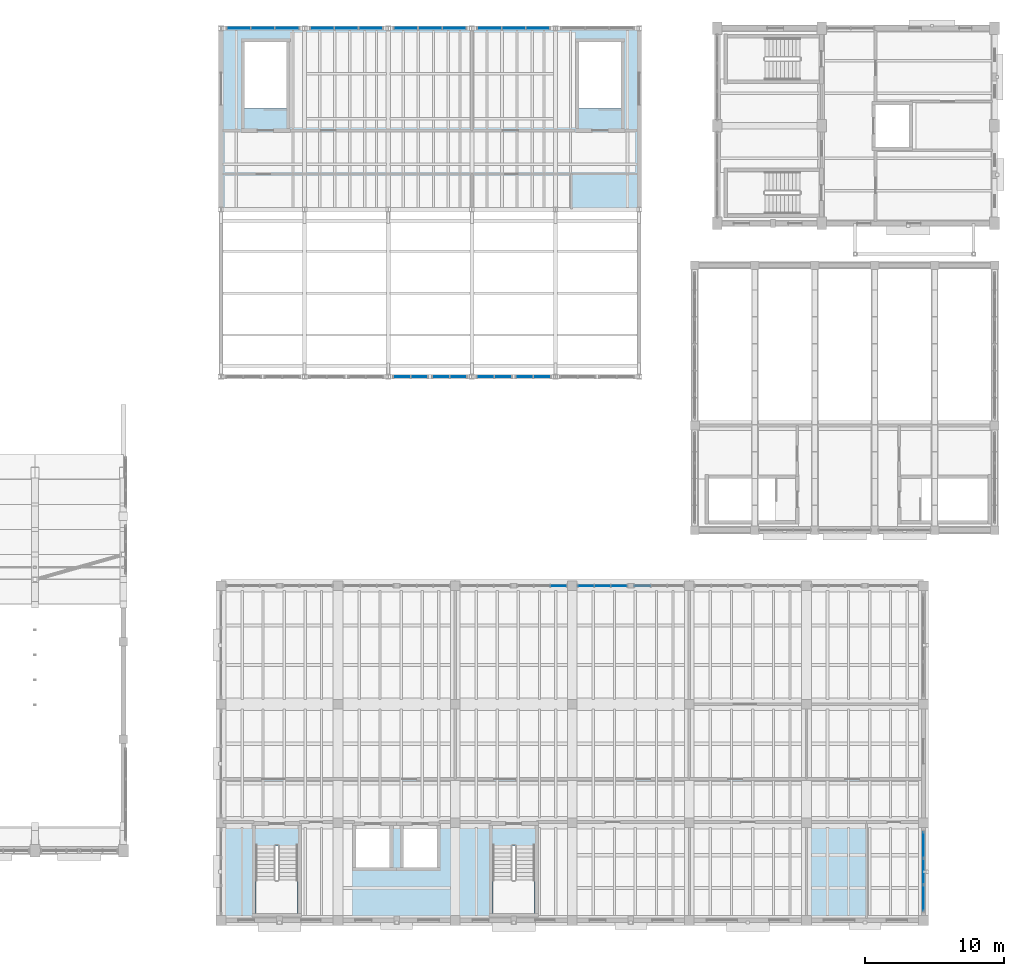
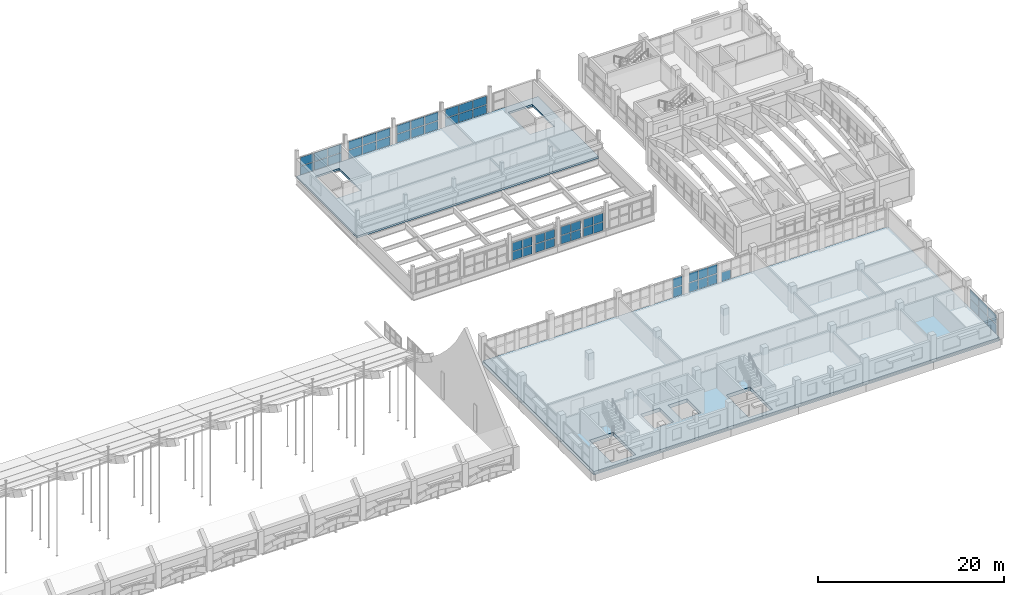
# One storey, part 53 of 77: 55 plates, 2 slabs, 12 elements without a shape of their own.
"""IFC4 building model written with IfcOpenShell, lengths in metres."""

from ifc_helpers import new_model, si_unit, direction, frame, origin, origin_2d, place, context, subcontext, project, spatial, polyline, rectangle, outline, extrude, material, layer, layer_set, type_object, element, aggregate, save


model = new_model("IFC4")

# Units and contexts
model_context = context("Model", 3, precision=1e-05, world=origin(), true_north=direction((0.0, 1.0)))
body_context = subcontext(model_context, "Body", "Model", "MODEL_VIEW")
ifc_project = project(units=[si_unit("LENGTHUNIT", "METRE"), si_unit("AREAUNIT", "SQUARE_METRE"), si_unit("VOLUMEUNIT", "CUBIC_METRE"), si_unit("PLANEANGLEUNIT", "RADIAN"), si_unit("MASSUNIT", "GRAM", prefix="KILO")], contexts=[model_context])

# Site, building, storey
site_placement = place(None, origin())
site = spatial("IfcSite", under=ifc_project, at=site_placement, CompositionType="ELEMENT")
building_placement = place(site_placement, origin())
building = spatial("IfcBuilding", under=site, at=building_placement, Name="Trellovar Central Fire Station", CompositionType="ELEMENT")
storey_placement = place(building_placement, frame((0.0, 0.0, 5.85009765625)))
storey = spatial("IfcBuildingStorey", under=building, at=storey_placement, Name="L02", CompositionType="ELEMENT", Elevation=5.85009765625)

# Curtain wall, plate
ifc_material_1 = material(Name="Thermally broken bronze anodized aluminum", Category="aluminium")
ifc_layer_1 = layer(ifc_material_1, 0.159912109375)
ifc_layer_set_1 = layer_set([ifc_layer_1], Name="Thermally broken bronze anodized aluminum")
curtain_wall_type_1 = type_object("IfcCurtainWallType", Name="CW-09", PredefinedType="NOTDEFINED", material=ifc_layer_set_1)
curtain_wall_1_placement = place(storey_placement, origin())
curtain_wall_1 = element("IfcCurtainWall", 1, at=curtain_wall_1_placement, inside=storey, type_object=curtain_wall_type_1, Name="L02 curtain wall CW-9", PredefinedType="NOTDEFINED")
ifc_material_2 = material(Name="Double low-E solar control insulated glazing", Category="glass")
ifc_layer_2 = layer(ifc_material_2, 0.031982421875)
ifc_layer_set_2 = layer_set([ifc_layer_2], Name="Double low-E solar control insulated glazing")
plate_type_1 = type_object("IfcPlateType", Name="CWP-GL1", PredefinedType="CURTAIN_PANEL", material=ifc_layer_set_2)
plate_1_placement = place(storey_placement, frame((129.708251953125, 33.0, 1.31494140625), z_axis=(0.0, 0.0, 1.0), x_axis=(-1.0, 0.0, 0.0)))
plate_1 = element("IfcPlate", 2, at=plate_1_placement, type_object=plate_type_1, Name="CW3-L02-0063 panel 1-2", PredefinedType="CURTAIN_PANEL", context=body_context, shape_type="SweptSolid", body=[
    extrude(rectangle(XDim=1.103271484375, YDim=0.031982421875, at=origin_2d()), origin(), (0.0, 0.0, 1.0), 1.195068359375),
])

ifc_material_3 = material(Name="Thermally broken bronze anodized aluminum", Category="aluminium")
ifc_layer_3 = layer(ifc_material_3, 0.159912109375)
ifc_layer_set_3 = layer_set([ifc_layer_3], Name="Thermally broken bronze anodized aluminum")
curtain_wall_type_2 = type_object("IfcCurtainWallType", Name="CW-10", PredefinedType="NOTDEFINED", material=ifc_layer_set_3)
curtain_wall_2_placement = place(storey_placement, origin())
curtain_wall_2 = element("IfcCurtainWall", 3, at=curtain_wall_2_placement, inside=storey, type_object=curtain_wall_type_2, Name="L02 curtain wall CW-10", PredefinedType="NOTDEFINED")
plate_2_placement = place(storey_placement, frame((132.875, 33.0, 1.31494140625), z_axis=(0.0, 0.0, 1.0), x_axis=(-1.0, 0.0, 0.0)))
plate_2 = element("IfcPlate", 4, at=plate_2_placement, type_object=plate_type_1, Name="CW3-L02-0066 panel 2-2", PredefinedType="CURTAIN_PANEL", context=body_context, shape_type="SweptSolid", body=[
    extrude(rectangle(XDim=1.103515625, YDim=0.031982421875, at=origin_2d()), origin(), (0.0, 0.0, 1.0), 1.195068359375),
])

ifc_material_4 = material(Name="Thermally broken bronze anodized aluminum", Category="aluminium")
ifc_layer_4 = layer(ifc_material_4, 0.159912109375)
ifc_layer_set_4 = layer_set([ifc_layer_4], Name="Thermally broken bronze anodized aluminum")
curtain_wall_type_3 = type_object("IfcCurtainWallType", Name="CW-01", PredefinedType="NOTDEFINED", material=ifc_layer_set_4)
curtain_wall_3_placement = place(storey_placement, origin())
curtain_wall_3 = element("IfcCurtainWall", 5, at=curtain_wall_3_placement, inside=storey, type_object=curtain_wall_type_3, Name="L02 curtain wall CW-1", PredefinedType="NOTDEFINED")
plate_3_placement = place(storey_placement, frame((155.89990234375, 12.5, 1.31494140625), z_axis=(0.0, 0.0, 1.0), x_axis=(0.0, 1.0, 0.0)))
plate_3 = element("IfcPlate", 6, at=plate_3_placement, type_object=plate_type_1, Name="CW3-L02-0074 panel 2-2", PredefinedType="CURTAIN_PANEL", context=body_context, shape_type="SweptSolid", body=[
    extrude(rectangle(XDim=1.820068359375, YDim=0.031982421875, at=origin_2d()), origin(), (0.0, 0.0, 1.0), 1.195068359375),
])

ifc_material_5 = material(Name="Thermally broken bronze anodized aluminum", Category="aluminium")
ifc_layer_5 = layer(ifc_material_5, 0.159912109375)
ifc_layer_set_5 = layer_set([ifc_layer_5], Name="Thermally broken bronze anodized aluminum")
curtain_wall_type_4 = type_object("IfcCurtainWallType", Name="CW-13", PredefinedType="NOTDEFINED", material=ifc_layer_set_5)
curtain_wall_4_placement = place(storey_placement, origin())
curtain_wall_4 = element("IfcCurtainWall", 7, at=curtain_wall_4_placement, inside=storey, type_object=curtain_wall_type_4, Name="V6 L02 north clerestory 1", PredefinedType="NOTDEFINED")
plate_4_placement = place(storey_placement, frame((108.5, 73.0, 1.2138671875), z_axis=(0.0, 0.0, 1.0), x_axis=(-1.0, 0.0, 0.0)))
plate_4 = element("IfcPlate", 8, at=plate_4_placement, type_object=plate_type_1, Name="CW3-L02-0106 panel 2-2", PredefinedType="CURTAIN_PANEL", context=body_context, shape_type="SweptSolid", body=[
    extrude(rectangle(XDim=1.6533203125, YDim=0.031982421875, at=origin_2d()), origin(), (0.0, 0.0, 1.0), 1.093994140625),
])

curtain_wall_5_placement = place(storey_placement, origin())
curtain_wall_5 = element("IfcCurtainWall", 9, at=curtain_wall_5_placement, inside=storey, type_object=curtain_wall_type_4, Name="V6 L02 north clerestory 2", PredefinedType="NOTDEFINED")
plate_5_placement = place(storey_placement, frame((114.5, 73.0, 1.2138671875), z_axis=(0.0, 0.0, 1.0), x_axis=(-1.0, 0.0, 0.0)))
plate_5 = element("IfcPlate", 10, at=plate_5_placement, type_object=plate_type_1, Name="CW3-L02-0114 panel 2-2", PredefinedType="CURTAIN_PANEL", context=body_context, shape_type="SweptSolid", body=[
    extrude(rectangle(XDim=1.6533203125, YDim=0.031982421875, at=origin_2d()), origin(), (0.0, 0.0, 1.0), 1.093994140625),
])

curtain_wall_6_placement = place(storey_placement, origin())
curtain_wall_6 = element("IfcCurtainWall", 11, at=curtain_wall_6_placement, inside=storey, type_object=curtain_wall_type_4, Name="V6 L02 north clerestory 3", PredefinedType="NOTDEFINED")
plate_6_placement = place(storey_placement, frame((120.5, 73.0, 1.2138671875), z_axis=(0.0, 0.0, 1.0), x_axis=(-1.0, 0.0, 0.0)))
plate_6 = element("IfcPlate", 12, at=plate_6_placement, type_object=plate_type_1, Name="CW3-L02-0122 panel 2-2", PredefinedType="CURTAIN_PANEL", context=body_context, shape_type="SweptSolid", body=[
    extrude(rectangle(XDim=1.6533203125, YDim=0.031982421875, at=origin_2d()), origin(), (0.0, 0.0, 1.0), 1.093994140625),
])

curtain_wall_7_placement = place(storey_placement, origin())
curtain_wall_7 = element("IfcCurtainWall", 13, at=curtain_wall_7_placement, inside=storey, type_object=curtain_wall_type_4, Name="V6 L02 north clerestory 4", PredefinedType="NOTDEFINED")
plate_7_placement = place(storey_placement, frame((126.5, 73.0, 1.2138671875), z_axis=(0.0, 0.0, 1.0), x_axis=(-1.0, 0.0, 0.0)))
plate_7 = element("IfcPlate", 14, at=plate_7_placement, type_object=plate_type_1, Name="CW3-L02-0130 panel 2-2", PredefinedType="CURTAIN_PANEL", context=body_context, shape_type="SweptSolid", body=[
    extrude(rectangle(XDim=1.6533203125, YDim=0.031982421875, at=origin_2d()), origin(), (0.0, 0.0, 1.0), 1.093994140625),
])

# Plate
ifc_material_6 = material(Name="Double low-E solar control insulated glazing", Category="glass")
ifc_layer_6 = layer(ifc_material_6, 0.035888671875)
ifc_layer_set_6 = layer_set([ifc_layer_6], Name="Double low-E solar control insulated glazing")
plate_type_2 = type_object("IfcPlateType", Name="CWP-GL2", PredefinedType="CURTAIN_PANEL", material=ifc_layer_set_6)
plate_8_placement = place(storey_placement, frame((131.691650390625, 33.0, 1.31494140625), z_axis=(0.0, 0.0, 1.0), x_axis=(-1.0, 0.0, 0.0)))
plate_8 = element("IfcPlate", 15, at=plate_8_placement, type_object=plate_type_2, Name="CW3-L02-0066 panel 3-2", PredefinedType="CURTAIN_PANEL", context=body_context, shape_type="SweptSolid", body=[
    extrude(rectangle(XDim=1.103271484375, YDim=0.035888671875, at=origin_2d()), origin(), (0.0, 0.0, 1.0), 1.195068359375),
])

plate_9_placement = place(storey_placement, frame((155.89990234375, 14.39990234375, 1.31494140625), z_axis=(0.0, 0.0, 1.0), x_axis=(0.0, 1.0, 0.0)))
plate_9 = element("IfcPlate", 16, at=plate_9_placement, type_object=plate_type_2, Name="CW3-L02-0074 panel 3-2", PredefinedType="CURTAIN_PANEL", context=body_context, shape_type="SweptSolid", body=[
    extrude(rectangle(XDim=1.820068359375, YDim=0.035888671875, at=origin_2d()), origin(), (0.0, 0.0, 1.0), 1.195068359375),
])

plate_10_placement = place(storey_placement, frame((106.7666015625, 73.0, 1.2138671875), z_axis=(0.0, 0.0, 1.0), x_axis=(-1.0, 0.0, 0.0)))
plate_10 = element("IfcPlate", 17, at=plate_10_placement, type_object=plate_type_2, Name="CW3-L02-0106 panel 3-2", PredefinedType="CURTAIN_PANEL", context=body_context, shape_type="SweptSolid", body=[
    extrude(rectangle(XDim=1.6533203125, YDim=0.035888671875, at=origin_2d()), origin(), (0.0, 0.0, 1.0), 1.093994140625),
])

plate_11_placement = place(storey_placement, frame((112.7666015625, 73.0, 1.2138671875), z_axis=(0.0, 0.0, 1.0), x_axis=(-1.0, 0.0, 0.0)))
plate_11 = element("IfcPlate", 18, at=plate_11_placement, type_object=plate_type_2, Name="CW3-L02-0114 panel 3-2", PredefinedType="CURTAIN_PANEL", context=body_context, shape_type="SweptSolid", body=[
    extrude(rectangle(XDim=1.6533203125, YDim=0.035888671875, at=origin_2d()), origin(), (0.0, 0.0, 1.0), 1.093994140625),
])

# Curtain wall, plate
ifc_material_7 = material(Name="Thermally broken bronze anodized aluminum", Category="aluminium")
ifc_layer_7 = layer(ifc_material_7, 0.159912109375)
ifc_layer_set_7 = layer_set([ifc_layer_7], Name="Thermally broken bronze anodized aluminum")
curtain_wall_type_5 = type_object("IfcCurtainWallType", Name="CW-08", PredefinedType="NOTDEFINED", material=ifc_layer_set_7)
curtain_wall_8_placement = place(storey_placement, origin())
curtain_wall_8 = element("IfcCurtainWall", 19, at=curtain_wall_8_placement, inside=storey, type_object=curtain_wall_type_5, Name="V6 workshop upper clerestory 3A", PredefinedType="NOTDEFINED")
plate_12_placement = place(storey_placement, frame((118.47509765625, 48.0, 0.96484375), z_axis=(0.0, 0.0, 1.0), x_axis=(1.0, 0.0, 0.0)))
plate_12 = element("IfcPlate", 20, at=plate_12_placement, type_object=plate_type_2, Name="CW3-L02-0120 panel 1-2", PredefinedType="CURTAIN_PANEL", context=body_context, shape_type="SweptSolid", body=[
    extrude(rectangle(XDim=1.169921875, YDim=0.035888671875, at=origin_2d()), origin(), (0.0, 0.0, 1.0), 1.094970703125),
])

# Plate
plate_13_placement = place(storey_placement, frame((118.7666015625, 73.0, 1.2138671875), z_axis=(0.0, 0.0, 1.0), x_axis=(-1.0, 0.0, 0.0)))
plate_13 = element("IfcPlate", 21, at=plate_13_placement, type_object=plate_type_2, Name="CW3-L02-0122 panel 3-2", PredefinedType="CURTAIN_PANEL", context=body_context, shape_type="SweptSolid", body=[
    extrude(rectangle(XDim=1.6533203125, YDim=0.035888671875, at=origin_2d()), origin(), (0.0, 0.0, 1.0), 1.093994140625),
])

# Curtain wall, plate
curtain_wall_9_placement = place(storey_placement, origin())
curtain_wall_9 = element("IfcCurtainWall", 22, at=curtain_wall_9_placement, inside=storey, type_object=curtain_wall_type_5, Name="V6 workshop upper clerestory 4A", PredefinedType="NOTDEFINED")
plate_14_placement = place(storey_placement, frame((124.47509765625, 48.0, 0.96484375), z_axis=(0.0, 0.0, 1.0), x_axis=(1.0, 0.0, 0.0)))
plate_14 = element("IfcPlate", 23, at=plate_14_placement, type_object=plate_type_2, Name="CW3-L02-0128 panel 1-2", PredefinedType="CURTAIN_PANEL", context=body_context, shape_type="SweptSolid", body=[
    extrude(rectangle(XDim=1.169921875, YDim=0.035888671875, at=origin_2d()), origin(), (0.0, 0.0, 1.0), 1.094970703125),
])

# Plate
plate_15_placement = place(storey_placement, frame((124.7666015625, 73.0, 1.2138671875), z_axis=(0.0, 0.0, 1.0), x_axis=(-1.0, 0.0, 0.0)))
plate_15 = element("IfcPlate", 24, at=plate_15_placement, type_object=plate_type_2, Name="CW3-L02-0130 panel 3-2", PredefinedType="CURTAIN_PANEL", context=body_context, shape_type="SweptSolid", body=[
    extrude(rectangle(XDim=1.6533203125, YDim=0.035888671875, at=origin_2d()), origin(), (0.0, 0.0, 1.0), 1.093994140625),
])

ifc_material_8 = material(Name="Double low-E solar control insulated glazing", Category="glass")
ifc_layer_8 = layer(ifc_material_8, 0.033935546875)
ifc_layer_set_8 = layer_set([ifc_layer_8], Name="Double low-E solar control insulated glazing")
plate_type_3 = type_object("IfcPlateType", Name="CWP-GL3", PredefinedType="CURTAIN_PANEL", material=ifc_layer_set_8)
plate_16_placement = place(storey_placement, frame((119.72509765625, 48.0, 0.96484375), z_axis=(0.0, 0.0, 1.0), x_axis=(1.0, 0.0, 0.0)))
plate_16 = element("IfcPlate", 25, at=plate_16_placement, type_object=plate_type_3, Name="CW3-L02-0120 panel 2-2", PredefinedType="CURTAIN_PANEL", context=body_context, shape_type="SweptSolid", body=[
    extrude(rectangle(XDim=1.169921875, YDim=0.033935546875, at=origin_2d()), origin(), (0.0, 0.0, 1.0), 1.094970703125),
])

# Curtain wall, plate
curtain_wall_10_placement = place(storey_placement, origin())
curtain_wall_10 = element("IfcCurtainWall", 26, at=curtain_wall_10_placement, inside=storey, type_object=curtain_wall_type_5, Name="V6 workshop upper clerestory 3B", PredefinedType="NOTDEFINED")
plate_17_placement = place(storey_placement, frame((121.27490234375, 48.0, 0.96484375), z_axis=(0.0, 0.0, 1.0), x_axis=(1.0, 0.0, 0.0)))
plate_17 = element("IfcPlate", 27, at=plate_17_placement, type_object=plate_type_3, Name="CW3-L02-0121 panel 1-2", PredefinedType="CURTAIN_PANEL", context=body_context, shape_type="SweptSolid", body=[
    extrude(rectangle(XDim=1.169921875, YDim=0.033935546875, at=origin_2d()), origin(), (0.0, 0.0, 1.0), 1.094970703125),
])

# Plate
plate_18_placement = place(storey_placement, frame((125.72509765625, 48.0, 0.96484375), z_axis=(0.0, 0.0, 1.0), x_axis=(1.0, 0.0, 0.0)))
plate_18 = element("IfcPlate", 28, at=plate_18_placement, type_object=plate_type_3, Name="CW3-L02-0128 panel 2-2", PredefinedType="CURTAIN_PANEL", context=body_context, shape_type="SweptSolid", body=[
    extrude(rectangle(XDim=1.169921875, YDim=0.033935546875, at=origin_2d()), origin(), (0.0, 0.0, 1.0), 1.094970703125),
])

# Curtain wall, plate
curtain_wall_11_placement = place(storey_placement, origin())
curtain_wall_11 = element("IfcCurtainWall", 29, at=curtain_wall_11_placement, inside=storey, type_object=curtain_wall_type_5, Name="V6 workshop upper clerestory 4B", PredefinedType="NOTDEFINED")
plate_19_placement = place(storey_placement, frame((127.27490234375, 48.0, 0.96484375), z_axis=(0.0, 0.0, 1.0), x_axis=(1.0, 0.0, 0.0)))
plate_19 = element("IfcPlate", 30, at=plate_19_placement, type_object=plate_type_3, Name="CW3-L02-0129 panel 1-2", PredefinedType="CURTAIN_PANEL", context=body_context, shape_type="SweptSolid", body=[
    extrude(rectangle(XDim=1.169921875, YDim=0.033935546875, at=origin_2d()), origin(), (0.0, 0.0, 1.0), 1.094970703125),
])

# Plate
ifc_material_9 = material(Name="Double low-E solar control insulated glazing", Category="glass")
ifc_layer_9 = layer(ifc_material_9, 0.030029296875)
ifc_layer_set_9 = layer_set([ifc_layer_9], Name="Double low-E solar control insulated glazing")
plate_type_4 = type_object("IfcPlateType", Name="CWP-GL4", PredefinedType="CURTAIN_PANEL", material=ifc_layer_set_9)
plate_20_placement = place(storey_placement, frame((134.058349609375, 33.0, 1.31494140625), z_axis=(0.0, 0.0, 1.0), x_axis=(-1.0, 0.0, 0.0)))
plate_20 = element("IfcPlate", 31, at=plate_20_placement, type_object=plate_type_4, Name="CW3-L02-0066 panel 1-2", PredefinedType="CURTAIN_PANEL", context=body_context, shape_type="SweptSolid", body=[
    extrude(rectangle(XDim=1.103271484375, YDim=0.030029296875, at=origin_2d()), origin(), (0.0, 0.0, 1.0), 1.195068359375),
])

plate_21_placement = place(storey_placement, frame((155.89990234375, 10.60009765625, 1.31494140625), z_axis=(0.0, 0.0, 1.0), x_axis=(0.0, 1.0, 0.0)))
plate_21 = element("IfcPlate", 32, at=plate_21_placement, type_object=plate_type_4, Name="CW3-L02-0074 panel 1-2", PredefinedType="CURTAIN_PANEL", context=body_context, shape_type="SweptSolid", body=[
    extrude(rectangle(XDim=1.820068359375, YDim=0.030029296875, at=origin_2d()), origin(), (0.0, 0.0, 1.0), 1.195068359375),
])

plate_22_placement = place(storey_placement, frame((110.2333984375, 73.0, 1.2138671875), z_axis=(0.0, 0.0, 1.0), x_axis=(-1.0, 0.0, 0.0)))
plate_22 = element("IfcPlate", 33, at=plate_22_placement, type_object=plate_type_4, Name="CW3-L02-0106 panel 1-2", PredefinedType="CURTAIN_PANEL", context=body_context, shape_type="SweptSolid", body=[
    extrude(rectangle(XDim=1.6533203125, YDim=0.030029296875, at=origin_2d()), origin(), (0.0, 0.0, 1.0), 1.093994140625),
])

plate_23_placement = place(storey_placement, frame((116.2333984375, 73.0, 1.2138671875), z_axis=(0.0, 0.0, 1.0), x_axis=(-1.0, 0.0, 0.0)))
plate_23 = element("IfcPlate", 34, at=plate_23_placement, type_object=plate_type_4, Name="CW3-L02-0114 panel 1-2", PredefinedType="CURTAIN_PANEL", context=body_context, shape_type="SweptSolid", body=[
    extrude(rectangle(XDim=1.6533203125, YDim=0.030029296875, at=origin_2d()), origin(), (0.0, 0.0, 1.0), 1.093994140625),
])

plate_24_placement = place(storey_placement, frame((122.52490234375, 48.0, 0.96484375), z_axis=(0.0, 0.0, 1.0), x_axis=(1.0, 0.0, 0.0)))
plate_24 = element("IfcPlate", 35, at=plate_24_placement, type_object=plate_type_4, Name="CW3-L02-0121 panel 2-2", PredefinedType="CURTAIN_PANEL", context=body_context, shape_type="SweptSolid", body=[
    extrude(rectangle(XDim=1.169921875, YDim=0.030029296875, at=origin_2d()), origin(), (0.0, 0.0, 1.0), 1.094970703125),
])

plate_25_placement = place(storey_placement, frame((122.2333984375, 73.0, 1.2138671875), z_axis=(0.0, 0.0, 1.0), x_axis=(-1.0, 0.0, 0.0)))
plate_25 = element("IfcPlate", 36, at=plate_25_placement, type_object=plate_type_4, Name="CW3-L02-0122 panel 1-2", PredefinedType="CURTAIN_PANEL", context=body_context, shape_type="SweptSolid", body=[
    extrude(rectangle(XDim=1.6533203125, YDim=0.030029296875, at=origin_2d()), origin(), (0.0, 0.0, 1.0), 1.093994140625),
])

plate_26_placement = place(storey_placement, frame((128.52490234375, 48.0, 0.96484375), z_axis=(0.0, 0.0, 1.0), x_axis=(1.0, 0.0, 0.0)))
plate_26 = element("IfcPlate", 37, at=plate_26_placement, type_object=plate_type_4, Name="CW3-L02-0129 panel 2-2", PredefinedType="CURTAIN_PANEL", context=body_context, shape_type="SweptSolid", body=[
    extrude(rectangle(XDim=1.169921875, YDim=0.030029296875, at=origin_2d()), origin(), (0.0, 0.0, 1.0), 1.094970703125),
])

plate_27_placement = place(storey_placement, frame((128.2333984375, 73.0, 1.2138671875), z_axis=(0.0, 0.0, 1.0), x_axis=(-1.0, 0.0, 0.0)))
plate_27 = element("IfcPlate", 38, at=plate_27_placement, type_object=plate_type_4, Name="CW3-L02-0130 panel 1-2", PredefinedType="CURTAIN_PANEL", context=body_context, shape_type="SweptSolid", body=[
    extrude(rectangle(XDim=1.6533203125, YDim=0.030029296875, at=origin_2d()), origin(), (0.0, 0.0, 1.0), 1.093994140625),
])

ifc_material_10 = material(Name="Glazed ceramic trencadis and terracotta panel", Category="masonry")
ifc_layer_10 = layer(ifc_material_10, 0.048095703125)
ifc_layer_set_10 = layer_set([ifc_layer_10], Name="Glazed ceramic trencadis and terracotta panel")
plate_type_5 = type_object("IfcPlateType", Name="CWP-SP1", PredefinedType="CURTAIN_PANEL", material=ifc_layer_set_10)
plate_28_placement = place(storey_placement, frame((134.058349609375, 33.0, 0.0400390625), z_axis=(0.0, 0.0, 1.0), x_axis=(-1.0, 0.0, 0.0)))
plate_28 = element("IfcPlate", 39, at=plate_28_placement, type_object=plate_type_5, Name="CW3-L02-0066 panel 1-1", PredefinedType="CURTAIN_PANEL", context=body_context, shape_type="SweptSolid", body=[
    extrude(rectangle(XDim=1.103271484375, YDim=0.048095703125, at=origin_2d()), origin(), (0.0, 0.0, 1.0), 1.195068359375),
])

plate_29_placement = place(storey_placement, frame((131.691650390625, 33.0, 0.0400390625), z_axis=(0.0, 0.0, 1.0), x_axis=(-1.0, 0.0, 0.0)))
plate_29 = element("IfcPlate", 40, at=plate_29_placement, type_object=plate_type_5, Name="CW3-L02-0066 panel 3-1", PredefinedType="CURTAIN_PANEL", context=body_context, shape_type="SweptSolid", body=[
    extrude(rectangle(XDim=1.103271484375, YDim=0.048095703125, at=origin_2d()), origin(), (0.0, 0.0, 1.0), 1.195068359375),
])

plate_30_placement = place(storey_placement, frame((155.89990234375, 10.60009765625, 0.0400390625), z_axis=(0.0, 0.0, 1.0), x_axis=(0.0, 1.0, 0.0)))
plate_30 = element("IfcPlate", 41, at=plate_30_placement, type_object=plate_type_5, Name="CW3-L02-0074 panel 1-1", PredefinedType="CURTAIN_PANEL", context=body_context, shape_type="SweptSolid", body=[
    extrude(rectangle(XDim=1.820068359375, YDim=0.048095703125, at=origin_2d()), origin(), (0.0, 0.0, 1.0), 1.195068359375),
])

plate_31_placement = place(storey_placement, frame((155.89990234375, 14.39990234375, 0.0400390625), z_axis=(0.0, 0.0, 1.0), x_axis=(0.0, 1.0, 0.0)))
plate_31 = element("IfcPlate", 42, at=plate_31_placement, type_object=plate_type_5, Name="CW3-L02-0074 panel 3-1", PredefinedType="CURTAIN_PANEL", context=body_context, shape_type="SweptSolid", body=[
    extrude(rectangle(XDim=1.820068359375, YDim=0.048095703125, at=origin_2d()), origin(), (0.0, 0.0, 1.0), 1.195068359375),
])

plate_32_placement = place(storey_placement, frame((110.2333984375, 73.0, 0.0400390625), z_axis=(0.0, 0.0, 1.0), x_axis=(-1.0, 0.0, 0.0)))
plate_32 = element("IfcPlate", 43, at=plate_32_placement, type_object=plate_type_5, Name="CW3-L02-0106 panel 1-1", PredefinedType="CURTAIN_PANEL", context=body_context, shape_type="SweptSolid", body=[
    extrude(rectangle(XDim=1.6533203125, YDim=0.048095703125, at=origin_2d()), origin(), (0.0, 0.0, 1.0), 1.093994140625),
])

plate_33_placement = place(storey_placement, frame((106.7666015625, 73.0, 0.0400390625), z_axis=(0.0, 0.0, 1.0), x_axis=(-1.0, 0.0, 0.0)))
plate_33 = element("IfcPlate", 44, at=plate_33_placement, type_object=plate_type_5, Name="CW3-L02-0106 panel 3-1", PredefinedType="CURTAIN_PANEL", context=body_context, shape_type="SweptSolid", body=[
    extrude(rectangle(XDim=1.6533203125, YDim=0.048095703125, at=origin_2d()), origin(), (0.0, 0.0, 1.0), 1.093994140625),
])

plate_34_placement = place(storey_placement, frame((116.2333984375, 73.0, 0.0400390625), z_axis=(0.0, 0.0, 1.0), x_axis=(-1.0, 0.0, 0.0)))
plate_34 = element("IfcPlate", 45, at=plate_34_placement, type_object=plate_type_5, Name="CW3-L02-0114 panel 1-1", PredefinedType="CURTAIN_PANEL", context=body_context, shape_type="SweptSolid", body=[
    extrude(rectangle(XDim=1.6533203125, YDim=0.048095703125, at=origin_2d()), origin(), (0.0, 0.0, 1.0), 1.093994140625),
])

plate_35_placement = place(storey_placement, frame((112.7666015625, 73.0, 0.0400390625), z_axis=(0.0, 0.0, 1.0), x_axis=(-1.0, 0.0, 0.0)))
plate_35 = element("IfcPlate", 46, at=plate_35_placement, type_object=plate_type_5, Name="CW3-L02-0114 panel 3-1", PredefinedType="CURTAIN_PANEL", context=body_context, shape_type="SweptSolid", body=[
    extrude(rectangle(XDim=1.6533203125, YDim=0.048095703125, at=origin_2d()), origin(), (0.0, 0.0, 1.0), 1.093994140625),
])

plate_36_placement = place(storey_placement, frame((118.47509765625, 48.0, -0.2099609375), z_axis=(0.0, 0.0, 1.0), x_axis=(1.0, 0.0, 0.0)))
plate_36 = element("IfcPlate", 47, at=plate_36_placement, type_object=plate_type_5, Name="CW3-L02-0120 panel 1-1", PredefinedType="CURTAIN_PANEL", context=body_context, shape_type="SweptSolid", body=[
    extrude(rectangle(XDim=1.169921875, YDim=0.048095703125, at=origin_2d()), origin(), (0.0, 0.0, 1.0), 1.094970703125),
])

plate_37_placement = place(storey_placement, frame((122.52490234375, 48.0, -0.2099609375), z_axis=(0.0, 0.0, 1.0), x_axis=(1.0, 0.0, 0.0)))
plate_37 = element("IfcPlate", 48, at=plate_37_placement, type_object=plate_type_5, Name="CW3-L02-0121 panel 2-1", PredefinedType="CURTAIN_PANEL", context=body_context, shape_type="SweptSolid", body=[
    extrude(rectangle(XDim=1.169921875, YDim=0.048095703125, at=origin_2d()), origin(), (0.0, 0.0, 1.0), 1.094970703125),
])

plate_38_placement = place(storey_placement, frame((122.2333984375, 73.0, 0.0400390625), z_axis=(0.0, 0.0, 1.0), x_axis=(-1.0, 0.0, 0.0)))
plate_38 = element("IfcPlate", 49, at=plate_38_placement, type_object=plate_type_5, Name="CW3-L02-0122 panel 1-1", PredefinedType="CURTAIN_PANEL", context=body_context, shape_type="SweptSolid", body=[
    extrude(rectangle(XDim=1.6533203125, YDim=0.048095703125, at=origin_2d()), origin(), (0.0, 0.0, 1.0), 1.093994140625),
])

plate_39_placement = place(storey_placement, frame((118.7666015625, 73.0, 0.0400390625), z_axis=(0.0, 0.0, 1.0), x_axis=(-1.0, 0.0, 0.0)))
plate_39 = element("IfcPlate", 50, at=plate_39_placement, type_object=plate_type_5, Name="CW3-L02-0122 panel 3-1", PredefinedType="CURTAIN_PANEL", context=body_context, shape_type="SweptSolid", body=[
    extrude(rectangle(XDim=1.6533203125, YDim=0.048095703125, at=origin_2d()), origin(), (0.0, 0.0, 1.0), 1.093994140625),
])

plate_40_placement = place(storey_placement, frame((124.47509765625, 48.0, -0.2099609375), z_axis=(0.0, 0.0, 1.0), x_axis=(1.0, 0.0, 0.0)))
plate_40 = element("IfcPlate", 51, at=plate_40_placement, type_object=plate_type_5, Name="CW3-L02-0128 panel 1-1", PredefinedType="CURTAIN_PANEL", context=body_context, shape_type="SweptSolid", body=[
    extrude(rectangle(XDim=1.169921875, YDim=0.048095703125, at=origin_2d()), origin(), (0.0, 0.0, 1.0), 1.094970703125),
])

plate_41_placement = place(storey_placement, frame((128.52490234375, 48.0, -0.2099609375), z_axis=(0.0, 0.0, 1.0), x_axis=(1.0, 0.0, 0.0)))
plate_41 = element("IfcPlate", 52, at=plate_41_placement, type_object=plate_type_5, Name="CW3-L02-0129 panel 2-1", PredefinedType="CURTAIN_PANEL", context=body_context, shape_type="SweptSolid", body=[
    extrude(rectangle(XDim=1.169921875, YDim=0.048095703125, at=origin_2d()), origin(), (0.0, 0.0, 1.0), 1.094970703125),
])

plate_42_placement = place(storey_placement, frame((128.2333984375, 73.0, 0.0400390625), z_axis=(0.0, 0.0, 1.0), x_axis=(-1.0, 0.0, 0.0)))
plate_42 = element("IfcPlate", 53, at=plate_42_placement, type_object=plate_type_5, Name="CW3-L02-0130 panel 1-1", PredefinedType="CURTAIN_PANEL", context=body_context, shape_type="SweptSolid", body=[
    extrude(rectangle(XDim=1.6533203125, YDim=0.048095703125, at=origin_2d()), origin(), (0.0, 0.0, 1.0), 1.093994140625),
])

plate_43_placement = place(storey_placement, frame((124.7666015625, 73.0, 0.0400390625), z_axis=(0.0, 0.0, 1.0), x_axis=(-1.0, 0.0, 0.0)))
plate_43 = element("IfcPlate", 54, at=plate_43_placement, type_object=plate_type_5, Name="CW3-L02-0130 panel 3-1", PredefinedType="CURTAIN_PANEL", context=body_context, shape_type="SweptSolid", body=[
    extrude(rectangle(XDim=1.6533203125, YDim=0.048095703125, at=origin_2d()), origin(), (0.0, 0.0, 1.0), 1.093994140625),
])

ifc_material_11 = material(Name="Glazed ceramic trencadis and terracotta panel", Category="masonry")
ifc_layer_11 = layer(ifc_material_11, 0.044921875)
ifc_layer_set_11 = layer_set([ifc_layer_11], Name="Glazed ceramic trencadis and terracotta panel")
plate_type_6 = type_object("IfcPlateType", Name="CWP-SP2", PredefinedType="CURTAIN_PANEL", material=ifc_layer_set_11)
plate_44_placement = place(storey_placement, frame((129.708251953125, 33.0, 0.0400390625), z_axis=(0.0, 0.0, 1.0), x_axis=(-1.0, 0.0, 0.0)))
plate_44 = element("IfcPlate", 55, at=plate_44_placement, type_object=plate_type_6, Name="CW3-L02-0063 panel 1-1", PredefinedType="CURTAIN_PANEL", context=body_context, shape_type="SweptSolid", body=[
    extrude(rectangle(XDim=1.103271484375, YDim=0.044921875, at=origin_2d()), origin(), (0.0, 0.0, 1.0), 1.195068359375),
])

aggregate(curtain_wall_1, [plate_44, plate_1])

# Curtain wall, plate
curtain_wall_12_placement = place(storey_placement, origin())
curtain_wall_12 = element("IfcCurtainWall", 56, at=curtain_wall_12_placement, inside=storey, type_object=curtain_wall_type_1, Name="L02 curtain wall CW-9", PredefinedType="NOTDEFINED")
plate_45_placement = place(storey_placement, frame((135.74169921875, 33.0, 0.0400390625), z_axis=(0.0, 0.0, 1.0), x_axis=(-1.0, 0.0, 0.0)))
plate_45 = element("IfcPlate", 57, at=plate_45_placement, type_object=plate_type_6, Name="CW3-L02-0065 panel 3-1", PredefinedType="CURTAIN_PANEL", context=body_context, shape_type="SweptSolid", body=[
    extrude(rectangle(XDim=1.103271484375, YDim=0.044921875, at=origin_2d()), origin(), (0.0, 0.0, 1.0), 1.195068359375),
])
aggregate(curtain_wall_12, [plate_45])

# Plate
plate_46_placement = place(storey_placement, frame((132.875, 33.0, 0.0400390625), z_axis=(0.0, 0.0, 1.0), x_axis=(-1.0, 0.0, 0.0)))
plate_46 = element("IfcPlate", 58, at=plate_46_placement, type_object=plate_type_6, Name="CW3-L02-0066 panel 2-1", PredefinedType="CURTAIN_PANEL", context=body_context, shape_type="SweptSolid", body=[
    extrude(rectangle(XDim=1.103515625, YDim=0.044921875, at=origin_2d()), origin(), (0.0, 0.0, 1.0), 1.195068359375),
])

aggregate(curtain_wall_2, [plate_28, plate_20, plate_46, plate_2, plate_29, plate_8])

plate_47_placement = place(storey_placement, frame((155.89990234375, 12.5, 0.0400390625), z_axis=(0.0, 0.0, 1.0), x_axis=(0.0, 1.0, 0.0)))
plate_47 = element("IfcPlate", 59, at=plate_47_placement, type_object=plate_type_6, Name="CW3-L02-0074 panel 2-1", PredefinedType="CURTAIN_PANEL", context=body_context, shape_type="SweptSolid", body=[
    extrude(rectangle(XDim=1.820068359375, YDim=0.044921875, at=origin_2d()), origin(), (0.0, 0.0, 1.0), 1.195068359375),
])

aggregate(curtain_wall_3, [plate_30, plate_21, plate_47, plate_3, plate_31, plate_9])

plate_48_placement = place(storey_placement, frame((108.5, 73.0, 0.0400390625), z_axis=(0.0, 0.0, 1.0), x_axis=(-1.0, 0.0, 0.0)))
plate_48 = element("IfcPlate", 60, at=plate_48_placement, type_object=plate_type_6, Name="CW3-L02-0106 panel 2-1", PredefinedType="CURTAIN_PANEL", context=body_context, shape_type="SweptSolid", body=[
    extrude(rectangle(XDim=1.6533203125, YDim=0.044921875, at=origin_2d()), origin(), (0.0, 0.0, 1.0), 1.093994140625),
])

aggregate(curtain_wall_4, [plate_32, plate_22, plate_48, plate_4, plate_33, plate_10])

plate_49_placement = place(storey_placement, frame((114.5, 73.0, 0.0400390625), z_axis=(0.0, 0.0, 1.0), x_axis=(-1.0, 0.0, 0.0)))
plate_49 = element("IfcPlate", 61, at=plate_49_placement, type_object=plate_type_6, Name="CW3-L02-0114 panel 2-1", PredefinedType="CURTAIN_PANEL", context=body_context, shape_type="SweptSolid", body=[
    extrude(rectangle(XDim=1.6533203125, YDim=0.044921875, at=origin_2d()), origin(), (0.0, 0.0, 1.0), 1.093994140625),
])

aggregate(curtain_wall_5, [plate_34, plate_23, plate_49, plate_5, plate_35, plate_11])

plate_50_placement = place(storey_placement, frame((119.72509765625, 48.0, -0.2099609375), z_axis=(0.0, 0.0, 1.0), x_axis=(1.0, 0.0, 0.0)))
plate_50 = element("IfcPlate", 62, at=plate_50_placement, type_object=plate_type_6, Name="CW3-L02-0120 panel 2-1", PredefinedType="CURTAIN_PANEL", context=body_context, shape_type="SweptSolid", body=[
    extrude(rectangle(XDim=1.169921875, YDim=0.044921875, at=origin_2d()), origin(), (0.0, 0.0, 1.0), 1.094970703125),
])

aggregate(curtain_wall_8, [plate_36, plate_12, plate_50, plate_16])

plate_51_placement = place(storey_placement, frame((121.27490234375, 48.0, -0.2099609375), z_axis=(0.0, 0.0, 1.0), x_axis=(1.0, 0.0, 0.0)))
plate_51 = element("IfcPlate", 63, at=plate_51_placement, type_object=plate_type_6, Name="CW3-L02-0121 panel 1-1", PredefinedType="CURTAIN_PANEL", context=body_context, shape_type="SweptSolid", body=[
    extrude(rectangle(XDim=1.169921875, YDim=0.044921875, at=origin_2d()), origin(), (0.0, 0.0, 1.0), 1.094970703125),
])

aggregate(curtain_wall_10, [plate_51, plate_17, plate_37, plate_24])

plate_52_placement = place(storey_placement, frame((120.5, 73.0, 0.0400390625), z_axis=(0.0, 0.0, 1.0), x_axis=(-1.0, 0.0, 0.0)))
plate_52 = element("IfcPlate", 64, at=plate_52_placement, type_object=plate_type_6, Name="CW3-L02-0122 panel 2-1", PredefinedType="CURTAIN_PANEL", context=body_context, shape_type="SweptSolid", body=[
    extrude(rectangle(XDim=1.6533203125, YDim=0.044921875, at=origin_2d()), origin(), (0.0, 0.0, 1.0), 1.093994140625),
])

aggregate(curtain_wall_6, [plate_38, plate_25, plate_52, plate_6, plate_39, plate_13])

plate_53_placement = place(storey_placement, frame((125.72509765625, 48.0, -0.2099609375), z_axis=(0.0, 0.0, 1.0), x_axis=(1.0, 0.0, 0.0)))
plate_53 = element("IfcPlate", 65, at=plate_53_placement, type_object=plate_type_6, Name="CW3-L02-0128 panel 2-1", PredefinedType="CURTAIN_PANEL", context=body_context, shape_type="SweptSolid", body=[
    extrude(rectangle(XDim=1.169921875, YDim=0.044921875, at=origin_2d()), origin(), (0.0, 0.0, 1.0), 1.094970703125),
])

aggregate(curtain_wall_9, [plate_40, plate_14, plate_53, plate_18])

plate_54_placement = place(storey_placement, frame((127.27490234375, 48.0, -0.2099609375), z_axis=(0.0, 0.0, 1.0), x_axis=(1.0, 0.0, 0.0)))
plate_54 = element("IfcPlate", 66, at=plate_54_placement, type_object=plate_type_6, Name="CW3-L02-0129 panel 1-1", PredefinedType="CURTAIN_PANEL", context=body_context, shape_type="SweptSolid", body=[
    extrude(rectangle(XDim=1.169921875, YDim=0.044921875, at=origin_2d()), origin(), (0.0, 0.0, 1.0), 1.094970703125),
])

aggregate(curtain_wall_11, [plate_54, plate_19, plate_41, plate_26])

plate_55_placement = place(storey_placement, frame((126.5, 73.0, 0.0400390625), z_axis=(0.0, 0.0, 1.0), x_axis=(-1.0, 0.0, 0.0)))
plate_55 = element("IfcPlate", 67, at=plate_55_placement, type_object=plate_type_6, Name="CW3-L02-0130 panel 2-1", PredefinedType="CURTAIN_PANEL", context=body_context, shape_type="SweptSolid", body=[
    extrude(rectangle(XDim=1.6533203125, YDim=0.044921875, at=origin_2d()), origin(), (0.0, 0.0, 1.0), 1.093994140625),
])

aggregate(curtain_wall_7, [plate_42, plate_27, plate_55, plate_7, plate_43, plate_15])

# Slabs
ifc_material_12 = material(Name="Concrete C40/50", Category="concrete")
ifc_layer_12 = layer(ifc_material_12, 0.25)
ifc_layer_set_12 = layer_set([ifc_layer_12], Name="Concrete C40/50")
slab_type_1 = type_object("IfcSlabType", Name="SLB-FL250", PredefinedType="FLOOR", material=ifc_layer_set_12)
slab_1_placement = place(storey_placement, frame((0.0, 0.0, -0.25)))
element("IfcSlab", 68, at=slab_1_placement, inside=storey, type_object=slab_type_1, Name="V6 L02 fleet parts mezzanine slab", PredefinedType="FLOOR", context=body_context, shape_type="SweptSolid", body=[
    extrude(outline(polyline([(105.5, 60.0), (135.5, 60.0), (135.5, 73.0), (105.5, 73.0), (105.5, 60.0)]), holes=[polyline([(110.199951171875, 67.260009765625), (110.199951171875, 72.0), (107.199951171875, 72.0), (107.199951171875, 67.260009765625), (110.199951171875, 67.260009765625)]), polyline([(134.199951171875, 67.260009765625), (134.199951171875, 72.0), (131.199951171875, 72.0), (131.199951171875, 67.260009765625), (134.199951171875, 67.260009765625)])]), origin(), (0.0, 0.0, 1.0), 0.25),
])
ifc_material_13 = material(Name="Concrete C45/55", Category="concrete")
ifc_layer_13 = layer(ifc_material_13, 0.449951171875)
ifc_layer_set_13 = layer_set([ifc_layer_13], Name="Concrete C45/55")
slab_type_2 = type_object("IfcSlabType", Name="SLB-TS450", PredefinedType="FLOOR", material=ifc_layer_set_13)
slab_2_placement = place(storey_placement, frame((0.0, 0.0, -0.4501953125)))
element("IfcSlab", 69, at=slab_2_placement, inside=storey, type_object=slab_type_2, Name="V5 L02 450 mm RC transfer slab TS-1", PredefinedType="FLOOR", context=body_context, shape_type="SweptSolid", body=[
    extrude(outline(polyline([(105.5, 9.0), (155.89990234375, 9.0), (155.89990234375, 33.0), (105.5, 33.0), (105.5, 9.0)]), holes=[polyline([(108.0, 14.340087890625), (108.0, 9.5), (111.0, 9.5), (111.0, 14.340087890625), (108.0, 14.340087890625)]), polyline([(125.0, 14.340087890625), (125.0, 9.5), (128.0, 9.5), (128.0, 14.340087890625), (125.0, 14.340087890625)]), polyline([(115.199951171875, 12.800048828125), (117.60009765625, 12.800048828125), (117.60009765625, 15.800048828125), (115.199951171875, 15.800048828125), (115.199951171875, 12.800048828125)]), polyline([(118.60009765625, 12.800048828125), (121.0, 12.800048828125), (121.0, 15.800048828125), (118.60009765625, 15.800048828125), (118.60009765625, 12.800048828125)])]), origin(), (0.0, 0.0, 1.0), 0.4501953125),
])

save(model, "model.ifc")
